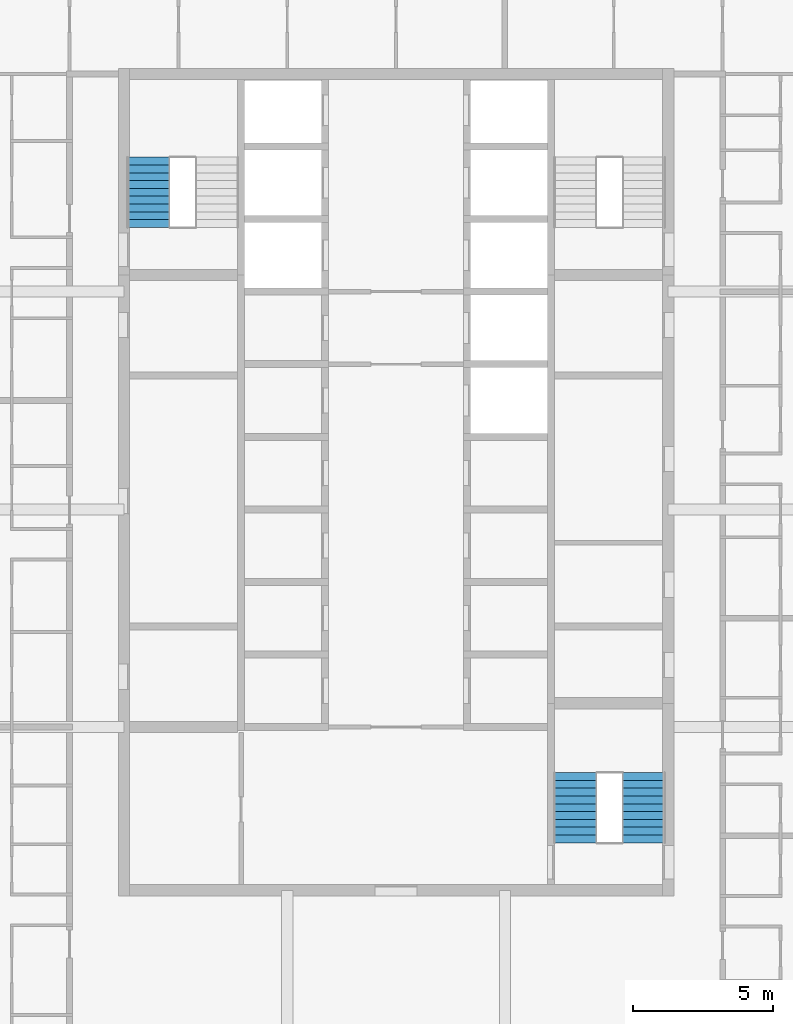
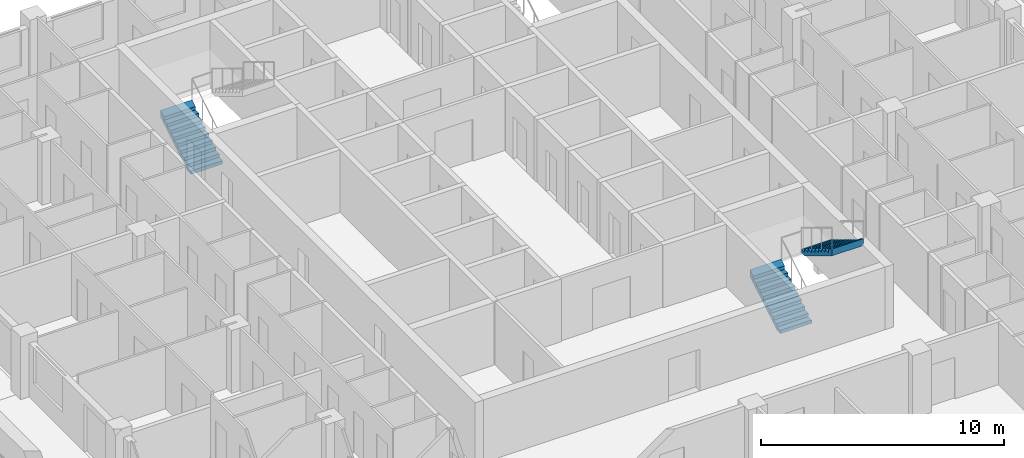
# One storey, part 13 of 16: 3 stair flights, 2 elements without a shape of their own.
"""IFC4 building model written with IfcOpenShell, lengths in metres."""

from ifc_helpers import new_model, si_unit, direction, frame, origin, place, context, subcontext, project, spatial, triangles, material, type_object, element, aggregate, save


model = new_model("IFC4")

# Units and contexts
model_context = context("Model", 3, precision=1e-05, world=origin(), true_north=direction((0.0, 1.0)))
body_context = subcontext(model_context, "Body", "Model", "MODEL_VIEW")
ifc_project = project(units=[si_unit("LENGTHUNIT", "METRE"), si_unit("AREAUNIT", "SQUARE_METRE"), si_unit("VOLUMEUNIT", "CUBIC_METRE"), si_unit("PLANEANGLEUNIT", "RADIAN"), si_unit("MASSUNIT", "GRAM", prefix="KILO")], contexts=[model_context])

# Site, building, storey
site_placement = place(None, origin())
site = spatial("IfcSite", under=ifc_project, at=site_placement, CompositionType="ELEMENT")
building_placement = place(site_placement, origin())
building = spatial("IfcBuilding", under=site, at=building_placement, Name="Ludao Terraces", CompositionType="ELEMENT")
storey_placement = place(building_placement, frame((0.0, 0.0, 217.699951171875)))
storey = spatial("IfcBuildingStorey", under=building, at=storey_placement, Name="L59", CompositionType="ELEMENT", Elevation=217.699951171875)

# Stair, stair flight
ifc_material = material(Name="Concrete C40", Category="concrete")
stair_type = type_object("IfcStairType", Name="INT Stair", PredefinedType="HALF_TURN_STAIR", material=ifc_material)
stair_1_placement = place(storey_placement, origin())
stair_1 = element("IfcStair", 1, at=stair_1_placement, inside=storey, type_object=stair_type, Name="EXIT STAIR 1", PredefinedType="HALF_TURN_STAIR")
stair_flight_type = type_object("IfcStairFlightType", Name="INT Stair flight", PredefinedType="STRAIGHT", material=ifc_material)
stair_flight_1_placement = place(storey_placement, frame((76.125, 79.0, 0.0), z_axis=(0.0, 0.0, 1.0), x_axis=(0.0, 1.0, 0.0)))
stair_flight_1 = element("IfcStairFlight", 2, at=stair_flight_1_placement, type_object=stair_flight_type, Name="ST1 flight 1", NumberOfRisers=10, NumberOfTreads=9, PredefinedType="STRAIGHT", RiserHeight=0.17, TreadLength=0.28, context=body_context, shape_type="Tessellation", body=[
    triangles([(0.0, -0.75, 0.0), (0.0, -0.5, 0.0), (0.0, -0.25, 0.0), (0.0, 0.0, 0.0), (0.0, 0.25, 0.0), (0.0, 0.5, 0.0), (0.0, 0.75, 0.0), (0.0, -0.75, 0.169921875), (0.0, -0.5, 0.169921875), (0.0, -0.25, 0.169921875), (0.0, 0.0, 0.169921875), (0.0, 0.25, 0.169921875), (0.0, 0.5, 0.169921875), (0.0, 0.75, 0.169921875), (0.280029296875, -0.75, 0.169921875), (0.280029296875, -0.5, 0.169921875), (0.280029296875, -0.25, 0.169921875), (0.280029296875, 0.0, 0.169921875), (0.280029296875, 0.25, 0.169921875), (0.280029296875, 0.5, 0.169921875), (0.280029296875, 0.75, 0.169921875), (0.280029296875, -0.75, 0.340087890625), (0.280029296875, -0.5, 0.340087890625), (0.280029296875, -0.25, 0.340087890625), (0.280029296875, 0.0, 0.340087890625), (0.280029296875, 0.25, 0.340087890625), (0.280029296875, 0.5, 0.340087890625), (0.280029296875, 0.75, 0.340087890625), (0.56005859375, -0.75, 0.340087890625), (0.56005859375, -0.5, 0.340087890625), (0.56005859375, -0.25, 0.340087890625), (0.56005859375, 0.0, 0.340087890625), (0.56005859375, 0.25, 0.340087890625), (0.56005859375, 0.5, 0.340087890625), (0.56005859375, 0.75, 0.340087890625), (0.56005859375, -0.75, 0.510009765625), (0.56005859375, -0.5, 0.510009765625), (0.56005859375, -0.25, 0.510009765625), (0.56005859375, 0.0, 0.510009765625), (0.56005859375, 0.25, 0.510009765625), (0.56005859375, 0.5, 0.510009765625), (0.56005859375, 0.75, 0.510009765625), (0.840087890625, -0.75, 0.510009765625), (0.840087890625, -0.5, 0.510009765625), (0.840087890625, -0.25, 0.510009765625), (0.840087890625, 0.0, 0.510009765625), (0.840087890625, 0.25, 0.510009765625), (0.840087890625, 0.5, 0.510009765625), (0.840087890625, 0.75, 0.510009765625), (0.840087890625, -0.75, 0.679931640625), (0.840087890625, -0.5, 0.679931640625), (0.840087890625, -0.25, 0.679931640625), (0.840087890625, 0.0, 0.679931640625), (0.840087890625, 0.25, 0.679931640625), (0.840087890625, 0.5, 0.679931640625), (0.840087890625, 0.75, 0.679931640625), (1.1201171875, -0.75, 0.679931640625), (1.1201171875, -0.5, 0.679931640625), (1.1201171875, -0.25, 0.679931640625), (1.1201171875, 0.0, 0.679931640625), (1.1201171875, 0.25, 0.679931640625), (1.1201171875, 0.5, 0.679931640625), (1.1201171875, 0.75, 0.679931640625), (1.1201171875, -0.75, 0.85009765625), (1.1201171875, -0.5, 0.85009765625), (1.1201171875, -0.25, 0.85009765625), (1.1201171875, 0.0, 0.85009765625), (1.1201171875, 0.25, 0.85009765625), (1.1201171875, 0.5, 0.85009765625), (1.1201171875, 0.75, 0.85009765625), (1.39990234375, -0.75, 0.85009765625), (1.39990234375, -0.5, 0.85009765625), (1.39990234375, -0.25, 0.85009765625), (1.39990234375, 0.0, 0.85009765625), (1.39990234375, 0.25, 0.85009765625), (1.39990234375, 0.5, 0.85009765625), (1.39990234375, 0.75, 0.85009765625), (1.39990234375, -0.75, 1.02001953125), (1.39990234375, -0.5, 1.02001953125), (1.39990234375, -0.25, 1.02001953125), (1.39990234375, 0.0, 1.02001953125), (1.39990234375, 0.25, 1.02001953125), (1.39990234375, 0.5, 1.02001953125), (1.39990234375, 0.75, 1.02001953125), (1.679931640625, -0.75, 1.02001953125), (1.679931640625, -0.5, 1.02001953125), (1.679931640625, -0.25, 1.02001953125), (1.679931640625, 0.0, 1.02001953125), (1.679931640625, 0.25, 1.02001953125), (1.679931640625, 0.5, 1.02001953125), (1.679931640625, 0.75, 1.02001953125), (1.679931640625, -0.75, 1.18994140625), (1.679931640625, -0.5, 1.18994140625), (1.679931640625, -0.25, 1.18994140625), (1.679931640625, 0.0, 1.18994140625), (1.679931640625, 0.25, 1.18994140625), (1.679931640625, 0.5, 1.18994140625), (1.679931640625, 0.75, 1.18994140625), (1.9599609375, -0.75, 1.18994140625), (1.9599609375, -0.5, 1.18994140625), (1.9599609375, -0.25, 1.18994140625), (1.9599609375, 0.0, 1.18994140625), (1.9599609375, 0.25, 1.18994140625), (1.9599609375, 0.5, 1.18994140625), (1.9599609375, 0.75, 1.18994140625), (1.9599609375, -0.75, 1.360107421875), (1.9599609375, -0.5, 1.360107421875), (1.9599609375, -0.25, 1.360107421875), (1.9599609375, 0.0, 1.360107421875), (1.9599609375, 0.25, 1.360107421875), (1.9599609375, 0.5, 1.360107421875), (1.9599609375, 0.75, 1.360107421875), (2.239990234375, -0.75, 1.360107421875), (2.239990234375, -0.5, 1.360107421875), (2.239990234375, -0.25, 1.360107421875), (2.239990234375, 0.0, 1.360107421875), (2.239990234375, 0.25, 1.360107421875), (2.239990234375, 0.5, 1.360107421875), (2.239990234375, 0.75, 1.360107421875), (2.239990234375, -0.75, 1.530029296875), (2.239990234375, -0.5, 1.530029296875), (2.239990234375, -0.25, 1.530029296875), (2.239990234375, 0.0, 1.530029296875), (2.239990234375, 0.25, 1.530029296875), (2.239990234375, 0.5, 1.530029296875), (2.239990234375, 0.75, 1.530029296875), (2.52001953125, -0.75, 1.699951171875), (2.52001953125, -0.5, 1.699951171875), (2.52001953125, -0.25, 1.699951171875), (2.52001953125, 0.0, 1.699951171875), (2.52001953125, 0.25, 1.699951171875), (2.52001953125, 0.5, 1.699951171875), (2.52001953125, 0.75, 1.699951171875), (2.52001953125, -0.75, 1.354736328125), (2.52001953125, -0.5, 1.354736328125), (2.52001953125, -0.25, 1.354736328125), (2.52001953125, 0.0, 1.354736328125), (2.52001953125, 0.25, 1.354736328125), (2.52001953125, 0.5, 1.354736328125), (2.52001953125, 0.75, 1.354736328125), (0.288818359375, -0.75, 0.0), (0.288818359375, -0.5, 0.0), (0.288818359375, -0.25, 0.0), (0.288818359375, 0.0, 0.0), (0.288818359375, 0.25, 0.0), (0.288818359375, 0.5, 0.0), (0.288818359375, 0.75, 0.0)], [[1, 141, 134], [7, 140, 147], [134, 127, 120], [140, 126, 133], [134, 120, 113], [140, 119, 126], [134, 113, 106], [140, 112, 119], [134, 106, 99], [140, 105, 112], [99, 92, 85], [105, 91, 98], [134, 99, 85], [140, 91, 105], [85, 78, 71], [91, 77, 84], [134, 85, 71], [140, 77, 91], [71, 64, 57], [77, 63, 70], [134, 71, 57], [140, 63, 77], [57, 50, 43], [63, 49, 56], [134, 57, 43], [140, 49, 63], [43, 36, 29], [49, 35, 42], [134, 43, 29], [140, 35, 49], [29, 22, 15], [35, 21, 28], [134, 29, 15], [140, 21, 35], [1, 134, 15], [7, 21, 140], [15, 8, 1], [21, 7, 14], [1, 9, 2], [1, 8, 9], [2, 10, 3], [2, 9, 10], [3, 11, 4], [3, 10, 11], [4, 12, 5], [4, 11, 12], [5, 13, 6], [5, 12, 13], [6, 14, 7], [6, 13, 14], [8, 16, 9], [8, 15, 16], [9, 17, 10], [9, 16, 17], [10, 18, 11], [10, 17, 18], [11, 19, 12], [11, 18, 19], [12, 20, 13], [12, 19, 20], [13, 21, 14], [13, 20, 21], [15, 23, 16], [15, 22, 23], [16, 24, 17], [16, 23, 24], [17, 25, 18], [17, 24, 25], [18, 26, 19], [18, 25, 26], [19, 27, 20], [19, 26, 27], [20, 28, 21], [20, 27, 28], [22, 30, 23], [22, 29, 30], [23, 31, 24], [23, 30, 31], [24, 32, 25], [24, 31, 32], [25, 33, 26], [25, 32, 33], [26, 34, 27], [26, 33, 34], [27, 35, 28], [27, 34, 35], [29, 37, 30], [29, 36, 37], [30, 38, 31], [30, 37, 38], [31, 39, 32], [31, 38, 39], [32, 40, 33], [32, 39, 40], [33, 41, 34], [33, 40, 41], [34, 42, 35], [34, 41, 42], [36, 44, 37], [36, 43, 44], [37, 45, 38], [37, 44, 45], [38, 46, 39], [38, 45, 46], [39, 47, 40], [39, 46, 47], [40, 48, 41], [40, 47, 48], [41, 49, 42], [41, 48, 49], [43, 51, 44], [43, 50, 51], [44, 52, 45], [44, 51, 52], [45, 53, 46], [45, 52, 53], [46, 54, 47], [46, 53, 54], [47, 55, 48], [47, 54, 55], [48, 56, 49], [48, 55, 56], [50, 58, 51], [50, 57, 58], [51, 59, 52], [51, 58, 59], [52, 60, 53], [52, 59, 60], [53, 61, 54], [53, 60, 61], [54, 62, 55], [54, 61, 62], [55, 63, 56], [55, 62, 63], [57, 65, 58], [57, 64, 65], [58, 66, 59], [58, 65, 66], [59, 67, 60], [59, 66, 67], [60, 68, 61], [60, 67, 68], [61, 69, 62], [61, 68, 69], [62, 70, 63], [62, 69, 70], [64, 72, 65], [64, 71, 72], [65, 73, 66], [65, 72, 73], [66, 74, 67], [66, 73, 74], [67, 75, 68], [67, 74, 75], [68, 76, 69], [68, 75, 76], [69, 77, 70], [69, 76, 77], [71, 79, 72], [71, 78, 79], [72, 80, 73], [72, 79, 80], [73, 81, 74], [73, 80, 81], [74, 82, 75], [74, 81, 82], [75, 83, 76], [75, 82, 83], [76, 84, 77], [76, 83, 84], [78, 86, 79], [78, 85, 86], [79, 87, 80], [79, 86, 87], [80, 88, 81], [80, 87, 88], [81, 89, 82], [81, 88, 89], [82, 90, 83], [82, 89, 90], [83, 91, 84], [83, 90, 91], [85, 93, 86], [85, 92, 93], [86, 94, 87], [86, 93, 94], [87, 95, 88], [87, 94, 95], [88, 96, 89], [88, 95, 96], [89, 97, 90], [89, 96, 97], [90, 98, 91], [90, 97, 98], [92, 100, 93], [92, 99, 100], [93, 101, 94], [93, 100, 101], [94, 102, 95], [94, 101, 102], [95, 103, 96], [95, 102, 103], [96, 104, 97], [96, 103, 104], [97, 105, 98], [97, 104, 105], [99, 107, 100], [99, 106, 107], [100, 108, 101], [100, 107, 108], [101, 109, 102], [101, 108, 109], [102, 110, 103], [102, 109, 110], [103, 111, 104], [103, 110, 111], [104, 112, 105], [104, 111, 112], [106, 114, 107], [106, 113, 114], [107, 115, 108], [107, 114, 115], [108, 116, 109], [108, 115, 116], [109, 117, 110], [109, 116, 117], [110, 118, 111], [110, 117, 118], [111, 119, 112], [111, 118, 119], [113, 121, 114], [113, 120, 121], [114, 122, 115], [114, 121, 122], [115, 123, 116], [115, 122, 123], [116, 124, 117], [116, 123, 124], [117, 125, 118], [117, 124, 125], [118, 126, 119], [118, 125, 126], [120, 128, 121], [120, 127, 128], [121, 129, 122], [121, 128, 129], [122, 130, 123], [122, 129, 130], [123, 131, 124], [123, 130, 131], [124, 132, 125], [124, 131, 132], [125, 133, 126], [125, 132, 133], [127, 135, 128], [127, 134, 135], [128, 136, 129], [128, 135, 136], [129, 137, 130], [129, 136, 137], [130, 138, 131], [130, 137, 138], [131, 139, 132], [131, 138, 139], [132, 140, 133], [132, 139, 140], [134, 142, 135], [134, 141, 142], [135, 143, 136], [135, 142, 143], [136, 144, 137], [136, 143, 144], [137, 145, 138], [137, 144, 145], [138, 146, 139], [138, 145, 146], [139, 147, 140], [139, 146, 147], [141, 2, 142], [141, 1, 2], [142, 3, 143], [142, 2, 3], [143, 4, 144], [143, 3, 4], [144, 5, 145], [144, 4, 5], [145, 6, 146], [145, 5, 6], [146, 7, 147], [146, 6, 7]], closed=True),
])
aggregate(stair_1, [stair_flight_1])

# Stair, stair flights
stair_2_placement = place(storey_placement, origin())
stair_2 = element("IfcStair", 3, at=stair_2_placement, inside=storey, type_object=stair_type, Name="EXIT STAIR 3", PredefinedType="HALF_TURN_STAIR")
stair_flight_2_placement = place(storey_placement, frame((91.425048828125, 56.949951171875, 0.0), z_axis=(0.0, 0.0, 1.0), x_axis=(0.0, 1.0, 0.0)))
stair_flight_2 = element("IfcStairFlight", 4, at=stair_flight_2_placement, type_object=stair_flight_type, Name="ST3 flight 1", NumberOfRisers=10, NumberOfTreads=9, PredefinedType="STRAIGHT", RiserHeight=0.17, TreadLength=0.28, context=body_context, shape_type="Tessellation", body=[
    triangles([(0.0, -0.75, 0.0), (0.0, -0.5, 0.0), (0.0, -0.25, 0.0), (0.0, 0.0, 0.0), (0.0, 0.25, 0.0), (0.0, 0.5, 0.0), (0.0, 0.75, 0.0), (0.0, -0.75, 0.169921875), (0.0, -0.5, 0.169921875), (0.0, -0.25, 0.169921875), (0.0, 0.0, 0.169921875), (0.0, 0.25, 0.169921875), (0.0, 0.5, 0.169921875), (0.0, 0.75, 0.169921875), (0.280029296875, -0.75, 0.169921875), (0.280029296875, -0.5, 0.169921875), (0.280029296875, -0.25, 0.169921875), (0.280029296875, 0.0, 0.169921875), (0.280029296875, 0.25, 0.169921875), (0.280029296875, 0.5, 0.169921875), (0.280029296875, 0.75, 0.169921875), (0.280029296875, -0.75, 0.340087890625), (0.280029296875, -0.5, 0.340087890625), (0.280029296875, -0.25, 0.340087890625), (0.280029296875, 0.0, 0.340087890625), (0.280029296875, 0.25, 0.340087890625), (0.280029296875, 0.5, 0.340087890625), (0.280029296875, 0.75, 0.340087890625), (0.56005859375, -0.75, 0.340087890625), (0.56005859375, -0.5, 0.340087890625), (0.56005859375, -0.25, 0.340087890625), (0.56005859375, 0.0, 0.340087890625), (0.56005859375, 0.25, 0.340087890625), (0.56005859375, 0.5, 0.340087890625), (0.56005859375, 0.75, 0.340087890625), (0.56005859375, -0.75, 0.510009765625), (0.56005859375, -0.5, 0.510009765625), (0.56005859375, -0.25, 0.510009765625), (0.56005859375, 0.0, 0.510009765625), (0.56005859375, 0.25, 0.510009765625), (0.56005859375, 0.5, 0.510009765625), (0.56005859375, 0.75, 0.510009765625), (0.840087890625, -0.75, 0.510009765625), (0.840087890625, -0.5, 0.510009765625), (0.840087890625, -0.25, 0.510009765625), (0.840087890625, 0.0, 0.510009765625), (0.840087890625, 0.25, 0.510009765625), (0.840087890625, 0.5, 0.510009765625), (0.840087890625, 0.75, 0.510009765625), (0.840087890625, -0.75, 0.679931640625), (0.840087890625, -0.5, 0.679931640625), (0.840087890625, -0.25, 0.679931640625), (0.840087890625, 0.0, 0.679931640625), (0.840087890625, 0.25, 0.679931640625), (0.840087890625, 0.5, 0.679931640625), (0.840087890625, 0.75, 0.679931640625), (1.1201171875, -0.75, 0.679931640625), (1.1201171875, -0.5, 0.679931640625), (1.1201171875, -0.25, 0.679931640625), (1.1201171875, 0.0, 0.679931640625), (1.1201171875, 0.25, 0.679931640625), (1.1201171875, 0.5, 0.679931640625), (1.1201171875, 0.75, 0.679931640625), (1.1201171875, -0.75, 0.85009765625), (1.1201171875, -0.5, 0.85009765625), (1.1201171875, -0.25, 0.85009765625), (1.1201171875, 0.0, 0.85009765625), (1.1201171875, 0.25, 0.85009765625), (1.1201171875, 0.5, 0.85009765625), (1.1201171875, 0.75, 0.85009765625), (1.39990234375, -0.75, 0.85009765625), (1.39990234375, -0.5, 0.85009765625), (1.39990234375, -0.25, 0.85009765625), (1.39990234375, 0.0, 0.85009765625), (1.39990234375, 0.25, 0.85009765625), (1.39990234375, 0.5, 0.85009765625), (1.39990234375, 0.75, 0.85009765625), (1.39990234375, -0.75, 1.02001953125), (1.39990234375, -0.5, 1.02001953125), (1.39990234375, -0.25, 1.02001953125), (1.39990234375, 0.0, 1.02001953125), (1.39990234375, 0.25, 1.02001953125), (1.39990234375, 0.5, 1.02001953125), (1.39990234375, 0.75, 1.02001953125), (1.679931640625, -0.75, 1.02001953125), (1.679931640625, -0.5, 1.02001953125), (1.679931640625, -0.25, 1.02001953125), (1.679931640625, 0.0, 1.02001953125), (1.679931640625, 0.25, 1.02001953125), (1.679931640625, 0.5, 1.02001953125), (1.679931640625, 0.75, 1.02001953125), (1.679931640625, -0.75, 1.18994140625), (1.679931640625, -0.5, 1.18994140625), (1.679931640625, -0.25, 1.18994140625), (1.679931640625, 0.0, 1.18994140625), (1.679931640625, 0.25, 1.18994140625), (1.679931640625, 0.5, 1.18994140625), (1.679931640625, 0.75, 1.18994140625), (1.9599609375, -0.75, 1.18994140625), (1.9599609375, -0.5, 1.18994140625), (1.9599609375, -0.25, 1.18994140625), (1.9599609375, 0.0, 1.18994140625), (1.9599609375, 0.25, 1.18994140625), (1.9599609375, 0.5, 1.18994140625), (1.9599609375, 0.75, 1.18994140625), (1.9599609375, -0.75, 1.360107421875), (1.9599609375, -0.5, 1.360107421875), (1.9599609375, -0.25, 1.360107421875), (1.9599609375, 0.0, 1.360107421875), (1.9599609375, 0.25, 1.360107421875), (1.9599609375, 0.5, 1.360107421875), (1.9599609375, 0.75, 1.360107421875), (2.239990234375, -0.75, 1.360107421875), (2.239990234375, -0.5, 1.360107421875), (2.239990234375, -0.25, 1.360107421875), (2.239990234375, 0.0, 1.360107421875), (2.239990234375, 0.25, 1.360107421875), (2.239990234375, 0.5, 1.360107421875), (2.239990234375, 0.75, 1.360107421875), (2.239990234375, -0.75, 1.530029296875), (2.239990234375, -0.5, 1.530029296875), (2.239990234375, -0.25, 1.530029296875), (2.239990234375, 0.0, 1.530029296875), (2.239990234375, 0.25, 1.530029296875), (2.239990234375, 0.5, 1.530029296875), (2.239990234375, 0.75, 1.530029296875), (2.52001953125, -0.75, 1.699951171875), (2.52001953125, -0.5, 1.699951171875), (2.52001953125, -0.25, 1.699951171875), (2.52001953125, 0.0, 1.699951171875), (2.52001953125, 0.25, 1.699951171875), (2.52001953125, 0.5, 1.699951171875), (2.52001953125, 0.75, 1.699951171875), (2.52001953125, -0.75, 1.354736328125), (2.52001953125, -0.5, 1.354736328125), (2.52001953125, -0.25, 1.354736328125), (2.52001953125, 0.0, 1.354736328125), (2.52001953125, 0.25, 1.354736328125), (2.52001953125, 0.5, 1.354736328125), (2.52001953125, 0.75, 1.354736328125), (0.288818359375, -0.75, 0.0), (0.288818359375, -0.5, 0.0), (0.288818359375, -0.25, 0.0), (0.288818359375, 0.0, 0.0), (0.288818359375, 0.25, 0.0), (0.288818359375, 0.5, 0.0), (0.288818359375, 0.75, 0.0)], [[1, 141, 134], [7, 140, 147], [134, 127, 120], [140, 126, 133], [134, 120, 113], [140, 119, 126], [134, 113, 106], [140, 112, 119], [134, 106, 99], [140, 105, 112], [99, 92, 85], [105, 91, 98], [134, 99, 85], [140, 91, 105], [85, 78, 71], [91, 77, 84], [134, 85, 71], [140, 77, 91], [71, 64, 57], [77, 63, 70], [134, 71, 57], [140, 63, 77], [57, 50, 43], [63, 49, 56], [134, 57, 43], [140, 49, 63], [43, 36, 29], [49, 35, 42], [134, 43, 29], [140, 35, 49], [29, 22, 15], [35, 21, 28], [134, 29, 15], [140, 21, 35], [1, 134, 15], [7, 21, 140], [15, 8, 1], [21, 7, 14], [1, 9, 2], [1, 8, 9], [2, 10, 3], [2, 9, 10], [3, 11, 4], [3, 10, 11], [4, 12, 5], [4, 11, 12], [5, 13, 6], [5, 12, 13], [6, 14, 7], [6, 13, 14], [8, 16, 9], [8, 15, 16], [9, 17, 10], [9, 16, 17], [10, 18, 11], [10, 17, 18], [11, 19, 12], [11, 18, 19], [12, 20, 13], [12, 19, 20], [13, 21, 14], [13, 20, 21], [15, 23, 16], [15, 22, 23], [16, 24, 17], [16, 23, 24], [17, 25, 18], [17, 24, 25], [18, 26, 19], [18, 25, 26], [19, 27, 20], [19, 26, 27], [20, 28, 21], [20, 27, 28], [22, 30, 23], [22, 29, 30], [23, 31, 24], [23, 30, 31], [24, 32, 25], [24, 31, 32], [25, 33, 26], [25, 32, 33], [26, 34, 27], [26, 33, 34], [27, 35, 28], [27, 34, 35], [29, 37, 30], [29, 36, 37], [30, 38, 31], [30, 37, 38], [31, 39, 32], [31, 38, 39], [32, 40, 33], [32, 39, 40], [33, 41, 34], [33, 40, 41], [34, 42, 35], [34, 41, 42], [36, 44, 37], [36, 43, 44], [37, 45, 38], [37, 44, 45], [38, 46, 39], [38, 45, 46], [39, 47, 40], [39, 46, 47], [40, 48, 41], [40, 47, 48], [41, 49, 42], [41, 48, 49], [43, 51, 44], [43, 50, 51], [44, 52, 45], [44, 51, 52], [45, 53, 46], [45, 52, 53], [46, 54, 47], [46, 53, 54], [47, 55, 48], [47, 54, 55], [48, 56, 49], [48, 55, 56], [50, 58, 51], [50, 57, 58], [51, 59, 52], [51, 58, 59], [52, 60, 53], [52, 59, 60], [53, 61, 54], [53, 60, 61], [54, 62, 55], [54, 61, 62], [55, 63, 56], [55, 62, 63], [57, 65, 58], [57, 64, 65], [58, 66, 59], [58, 65, 66], [59, 67, 60], [59, 66, 67], [60, 68, 61], [60, 67, 68], [61, 69, 62], [61, 68, 69], [62, 70, 63], [62, 69, 70], [64, 72, 65], [64, 71, 72], [65, 73, 66], [65, 72, 73], [66, 74, 67], [66, 73, 74], [67, 75, 68], [67, 74, 75], [68, 76, 69], [68, 75, 76], [69, 77, 70], [69, 76, 77], [71, 79, 72], [71, 78, 79], [72, 80, 73], [72, 79, 80], [73, 81, 74], [73, 80, 81], [74, 82, 75], [74, 81, 82], [75, 83, 76], [75, 82, 83], [76, 84, 77], [76, 83, 84], [78, 86, 79], [78, 85, 86], [79, 87, 80], [79, 86, 87], [80, 88, 81], [80, 87, 88], [81, 89, 82], [81, 88, 89], [82, 90, 83], [82, 89, 90], [83, 91, 84], [83, 90, 91], [85, 93, 86], [85, 92, 93], [86, 94, 87], [86, 93, 94], [87, 95, 88], [87, 94, 95], [88, 96, 89], [88, 95, 96], [89, 97, 90], [89, 96, 97], [90, 98, 91], [90, 97, 98], [92, 100, 93], [92, 99, 100], [93, 101, 94], [93, 100, 101], [94, 102, 95], [94, 101, 102], [95, 103, 96], [95, 102, 103], [96, 104, 97], [96, 103, 104], [97, 105, 98], [97, 104, 105], [99, 107, 100], [99, 106, 107], [100, 108, 101], [100, 107, 108], [101, 109, 102], [101, 108, 109], [102, 110, 103], [102, 109, 110], [103, 111, 104], [103, 110, 111], [104, 112, 105], [104, 111, 112], [106, 114, 107], [106, 113, 114], [107, 115, 108], [107, 114, 115], [108, 116, 109], [108, 115, 116], [109, 117, 110], [109, 116, 117], [110, 118, 111], [110, 117, 118], [111, 119, 112], [111, 118, 119], [113, 121, 114], [113, 120, 121], [114, 122, 115], [114, 121, 122], [115, 123, 116], [115, 122, 123], [116, 124, 117], [116, 123, 124], [117, 125, 118], [117, 124, 125], [118, 126, 119], [118, 125, 126], [120, 128, 121], [120, 127, 128], [121, 129, 122], [121, 128, 129], [122, 130, 123], [122, 129, 130], [123, 131, 124], [123, 130, 131], [124, 132, 125], [124, 131, 132], [125, 133, 126], [125, 132, 133], [127, 135, 128], [127, 134, 135], [128, 136, 129], [128, 135, 136], [129, 137, 130], [129, 136, 137], [130, 138, 131], [130, 137, 138], [131, 139, 132], [131, 138, 139], [132, 140, 133], [132, 139, 140], [134, 142, 135], [134, 141, 142], [135, 143, 136], [135, 142, 143], [136, 144, 137], [136, 143, 144], [137, 145, 138], [137, 144, 145], [138, 146, 139], [138, 145, 146], [139, 147, 140], [139, 146, 147], [141, 2, 142], [141, 1, 2], [142, 3, 143], [142, 2, 3], [143, 4, 144], [143, 3, 4], [144, 5, 145], [144, 4, 5], [145, 6, 146], [145, 5, 6], [146, 7, 147], [146, 6, 7]], closed=True),
])
stair_flight_3_placement = place(storey_placement, frame((93.875, 59.469970703125, 1.699951171875), z_axis=(0.0, 0.0, 1.0), x_axis=(0.0, -1.0, 0.0)))
stair_flight_3 = element("IfcStairFlight", 5, at=stair_flight_3_placement, type_object=stair_flight_type, Name="ST3 flight 2", NumberOfRisers=10, NumberOfTreads=9, PredefinedType="STRAIGHT", RiserHeight=0.17, TreadLength=0.28, context=body_context, shape_type="Tessellation", body=[
    triangles([(0.0, -0.75, 0.0), (0.0, -0.5, 0.0), (0.0, -0.25, 0.0), (0.0, 0.0, 0.0), (0.0, 0.25, 0.0), (0.0, 0.5, 0.0), (0.0, 0.75, 0.0), (0.0, -0.75, 0.169921875), (0.0, -0.5, 0.169921875), (0.0, -0.25, 0.169921875), (0.0, 0.0, 0.169921875), (0.0, 0.25, 0.169921875), (0.0, 0.5, 0.169921875), (0.0, 0.75, 0.169921875), (0.280029296875, -0.75, 0.169921875), (0.280029296875, -0.5, 0.169921875), (0.280029296875, -0.25, 0.169921875), (0.280029296875, 0.0, 0.169921875), (0.280029296875, 0.25, 0.169921875), (0.280029296875, 0.5, 0.169921875), (0.280029296875, 0.75, 0.169921875), (0.280029296875, -0.75, 0.340087890625), (0.280029296875, -0.5, 0.340087890625), (0.280029296875, -0.25, 0.340087890625), (0.280029296875, 0.0, 0.340087890625), (0.280029296875, 0.25, 0.340087890625), (0.280029296875, 0.5, 0.340087890625), (0.280029296875, 0.75, 0.340087890625), (0.56005859375, -0.75, 0.340087890625), (0.56005859375, -0.5, 0.340087890625), (0.56005859375, -0.25, 0.340087890625), (0.56005859375, 0.0, 0.340087890625), (0.56005859375, 0.25, 0.340087890625), (0.56005859375, 0.5, 0.340087890625), (0.56005859375, 0.75, 0.340087890625), (0.56005859375, -0.75, 0.510009765625), (0.56005859375, -0.5, 0.510009765625), (0.56005859375, -0.25, 0.510009765625), (0.56005859375, 0.0, 0.510009765625), (0.56005859375, 0.25, 0.510009765625), (0.56005859375, 0.5, 0.510009765625), (0.56005859375, 0.75, 0.510009765625), (0.840087890625, -0.75, 0.510009765625), (0.840087890625, -0.5, 0.510009765625), (0.840087890625, -0.25, 0.510009765625), (0.840087890625, 0.0, 0.510009765625), (0.840087890625, 0.25, 0.510009765625), (0.840087890625, 0.5, 0.510009765625), (0.840087890625, 0.75, 0.510009765625), (0.840087890625, -0.75, 0.679931640625), (0.840087890625, -0.5, 0.679931640625), (0.840087890625, -0.25, 0.679931640625), (0.840087890625, 0.0, 0.679931640625), (0.840087890625, 0.25, 0.679931640625), (0.840087890625, 0.5, 0.679931640625), (0.840087890625, 0.75, 0.679931640625), (1.1201171875, -0.75, 0.679931640625), (1.1201171875, -0.5, 0.679931640625), (1.1201171875, -0.25, 0.679931640625), (1.1201171875, 0.0, 0.679931640625), (1.1201171875, 0.25, 0.679931640625), (1.1201171875, 0.5, 0.679931640625), (1.1201171875, 0.75, 0.679931640625), (1.1201171875, -0.75, 0.85009765625), (1.1201171875, -0.5, 0.85009765625), (1.1201171875, -0.25, 0.85009765625), (1.1201171875, 0.0, 0.85009765625), (1.1201171875, 0.25, 0.85009765625), (1.1201171875, 0.5, 0.85009765625), (1.1201171875, 0.75, 0.85009765625), (1.39990234375, -0.75, 0.85009765625), (1.39990234375, -0.5, 0.85009765625), (1.39990234375, -0.25, 0.85009765625), (1.39990234375, 0.0, 0.85009765625), (1.39990234375, 0.25, 0.85009765625), (1.39990234375, 0.5, 0.85009765625), (1.39990234375, 0.75, 0.85009765625), (1.39990234375, -0.75, 1.02001953125), (1.39990234375, -0.5, 1.02001953125), (1.39990234375, -0.25, 1.02001953125), (1.39990234375, 0.0, 1.02001953125), (1.39990234375, 0.25, 1.02001953125), (1.39990234375, 0.5, 1.02001953125), (1.39990234375, 0.75, 1.02001953125), (1.679931640625, -0.75, 1.02001953125), (1.679931640625, -0.5, 1.02001953125), (1.679931640625, -0.25, 1.02001953125), (1.679931640625, 0.0, 1.02001953125), (1.679931640625, 0.25, 1.02001953125), (1.679931640625, 0.5, 1.02001953125), (1.679931640625, 0.75, 1.02001953125), (1.679931640625, -0.75, 1.18994140625), (1.679931640625, -0.5, 1.18994140625), (1.679931640625, -0.25, 1.18994140625), (1.679931640625, 0.0, 1.18994140625), (1.679931640625, 0.25, 1.18994140625), (1.679931640625, 0.5, 1.18994140625), (1.679931640625, 0.75, 1.18994140625), (1.9599609375, -0.75, 1.18994140625), (1.9599609375, -0.5, 1.18994140625), (1.9599609375, -0.25, 1.18994140625), (1.9599609375, 0.0, 1.18994140625), (1.9599609375, 0.25, 1.18994140625), (1.9599609375, 0.5, 1.18994140625), (1.9599609375, 0.75, 1.18994140625), (1.9599609375, -0.75, 1.360107421875), (1.9599609375, -0.5, 1.360107421875), (1.9599609375, -0.25, 1.360107421875), (1.9599609375, 0.0, 1.360107421875), (1.9599609375, 0.25, 1.360107421875), (1.9599609375, 0.5, 1.360107421875), (1.9599609375, 0.75, 1.360107421875), (2.239990234375, -0.75, 1.360107421875), (2.239990234375, -0.5, 1.360107421875), (2.239990234375, -0.25, 1.360107421875), (2.239990234375, 0.0, 1.360107421875), (2.239990234375, 0.25, 1.360107421875), (2.239990234375, 0.5, 1.360107421875), (2.239990234375, 0.75, 1.360107421875), (2.239990234375, -0.75, 1.530029296875), (2.239990234375, -0.5, 1.530029296875), (2.239990234375, -0.25, 1.530029296875), (2.239990234375, 0.0, 1.530029296875), (2.239990234375, 0.25, 1.530029296875), (2.239990234375, 0.5, 1.530029296875), (2.239990234375, 0.75, 1.530029296875), (2.52001953125, -0.75, 1.699951171875), (2.52001953125, -0.5, 1.699951171875), (2.52001953125, -0.25, 1.699951171875), (2.52001953125, 0.0, 1.699951171875), (2.52001953125, 0.25, 1.699951171875), (2.52001953125, 0.5, 1.699951171875), (2.52001953125, 0.75, 1.699951171875), (2.52001953125, -0.75, 1.354736328125), (2.52001953125, -0.5, 1.354736328125), (2.52001953125, -0.25, 1.354736328125), (2.52001953125, 0.0, 1.354736328125), (2.52001953125, 0.25, 1.354736328125), (2.52001953125, 0.5, 1.354736328125), (2.52001953125, 0.75, 1.354736328125), (0.288818359375, -0.75, 0.0), (0.288818359375, -0.5, 0.0), (0.288818359375, -0.25, 0.0), (0.288818359375, 0.0, 0.0), (0.288818359375, 0.25, 0.0), (0.288818359375, 0.5, 0.0), (0.288818359375, 0.75, 0.0)], [[1, 141, 134], [7, 140, 147], [134, 127, 120], [140, 126, 133], [134, 120, 113], [140, 119, 126], [134, 113, 106], [140, 112, 119], [134, 106, 99], [140, 105, 112], [99, 92, 85], [105, 91, 98], [134, 99, 85], [140, 91, 105], [85, 78, 71], [91, 77, 84], [134, 85, 71], [140, 77, 91], [71, 64, 57], [77, 63, 70], [134, 71, 57], [140, 63, 77], [57, 50, 43], [63, 49, 56], [134, 57, 43], [140, 49, 63], [43, 36, 29], [49, 35, 42], [134, 43, 29], [140, 35, 49], [29, 22, 15], [35, 21, 28], [134, 29, 15], [140, 21, 35], [1, 134, 15], [7, 21, 140], [15, 8, 1], [21, 7, 14], [1, 9, 2], [1, 8, 9], [2, 10, 3], [2, 9, 10], [3, 11, 4], [3, 10, 11], [4, 12, 5], [4, 11, 12], [5, 13, 6], [5, 12, 13], [6, 14, 7], [6, 13, 14], [8, 16, 9], [8, 15, 16], [9, 17, 10], [9, 16, 17], [10, 18, 11], [10, 17, 18], [11, 19, 12], [11, 18, 19], [12, 20, 13], [12, 19, 20], [13, 21, 14], [13, 20, 21], [15, 23, 16], [15, 22, 23], [16, 24, 17], [16, 23, 24], [17, 25, 18], [17, 24, 25], [18, 26, 19], [18, 25, 26], [19, 27, 20], [19, 26, 27], [20, 28, 21], [20, 27, 28], [22, 30, 23], [22, 29, 30], [23, 31, 24], [23, 30, 31], [24, 32, 25], [24, 31, 32], [25, 33, 26], [25, 32, 33], [26, 34, 27], [26, 33, 34], [27, 35, 28], [27, 34, 35], [29, 37, 30], [29, 36, 37], [30, 38, 31], [30, 37, 38], [31, 39, 32], [31, 38, 39], [32, 40, 33], [32, 39, 40], [33, 41, 34], [33, 40, 41], [34, 42, 35], [34, 41, 42], [36, 44, 37], [36, 43, 44], [37, 45, 38], [37, 44, 45], [38, 46, 39], [38, 45, 46], [39, 47, 40], [39, 46, 47], [40, 48, 41], [40, 47, 48], [41, 49, 42], [41, 48, 49], [43, 51, 44], [43, 50, 51], [44, 52, 45], [44, 51, 52], [45, 53, 46], [45, 52, 53], [46, 54, 47], [46, 53, 54], [47, 55, 48], [47, 54, 55], [48, 56, 49], [48, 55, 56], [50, 58, 51], [50, 57, 58], [51, 59, 52], [51, 58, 59], [52, 60, 53], [52, 59, 60], [53, 61, 54], [53, 60, 61], [54, 62, 55], [54, 61, 62], [55, 63, 56], [55, 62, 63], [57, 65, 58], [57, 64, 65], [58, 66, 59], [58, 65, 66], [59, 67, 60], [59, 66, 67], [60, 68, 61], [60, 67, 68], [61, 69, 62], [61, 68, 69], [62, 70, 63], [62, 69, 70], [64, 72, 65], [64, 71, 72], [65, 73, 66], [65, 72, 73], [66, 74, 67], [66, 73, 74], [67, 75, 68], [67, 74, 75], [68, 76, 69], [68, 75, 76], [69, 77, 70], [69, 76, 77], [71, 79, 72], [71, 78, 79], [72, 80, 73], [72, 79, 80], [73, 81, 74], [73, 80, 81], [74, 82, 75], [74, 81, 82], [75, 83, 76], [75, 82, 83], [76, 84, 77], [76, 83, 84], [78, 86, 79], [78, 85, 86], [79, 87, 80], [79, 86, 87], [80, 88, 81], [80, 87, 88], [81, 89, 82], [81, 88, 89], [82, 90, 83], [82, 89, 90], [83, 91, 84], [83, 90, 91], [85, 93, 86], [85, 92, 93], [86, 94, 87], [86, 93, 94], [87, 95, 88], [87, 94, 95], [88, 96, 89], [88, 95, 96], [89, 97, 90], [89, 96, 97], [90, 98, 91], [90, 97, 98], [92, 100, 93], [92, 99, 100], [93, 101, 94], [93, 100, 101], [94, 102, 95], [94, 101, 102], [95, 103, 96], [95, 102, 103], [96, 104, 97], [96, 103, 104], [97, 105, 98], [97, 104, 105], [99, 107, 100], [99, 106, 107], [100, 108, 101], [100, 107, 108], [101, 109, 102], [101, 108, 109], [102, 110, 103], [102, 109, 110], [103, 111, 104], [103, 110, 111], [104, 112, 105], [104, 111, 112], [106, 114, 107], [106, 113, 114], [107, 115, 108], [107, 114, 115], [108, 116, 109], [108, 115, 116], [109, 117, 110], [109, 116, 117], [110, 118, 111], [110, 117, 118], [111, 119, 112], [111, 118, 119], [113, 121, 114], [113, 120, 121], [114, 122, 115], [114, 121, 122], [115, 123, 116], [115, 122, 123], [116, 124, 117], [116, 123, 124], [117, 125, 118], [117, 124, 125], [118, 126, 119], [118, 125, 126], [120, 128, 121], [120, 127, 128], [121, 129, 122], [121, 128, 129], [122, 130, 123], [122, 129, 130], [123, 131, 124], [123, 130, 131], [124, 132, 125], [124, 131, 132], [125, 133, 126], [125, 132, 133], [127, 135, 128], [127, 134, 135], [128, 136, 129], [128, 135, 136], [129, 137, 130], [129, 136, 137], [130, 138, 131], [130, 137, 138], [131, 139, 132], [131, 138, 139], [132, 140, 133], [132, 139, 140], [134, 142, 135], [134, 141, 142], [135, 143, 136], [135, 142, 143], [136, 144, 137], [136, 143, 144], [137, 145, 138], [137, 144, 145], [138, 146, 139], [138, 145, 146], [139, 147, 140], [139, 146, 147], [141, 2, 142], [141, 1, 2], [142, 3, 143], [142, 2, 3], [143, 4, 144], [143, 3, 4], [144, 5, 145], [144, 4, 5], [145, 6, 146], [145, 5, 6], [146, 7, 147], [146, 6, 7]], closed=True),
])
aggregate(stair_2, [stair_flight_2, stair_flight_3])

save(model, "model.ifc")
